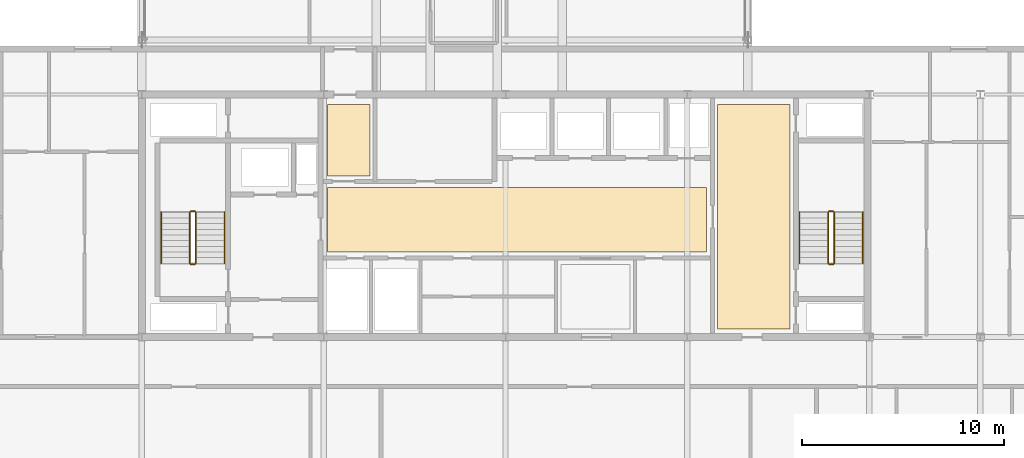
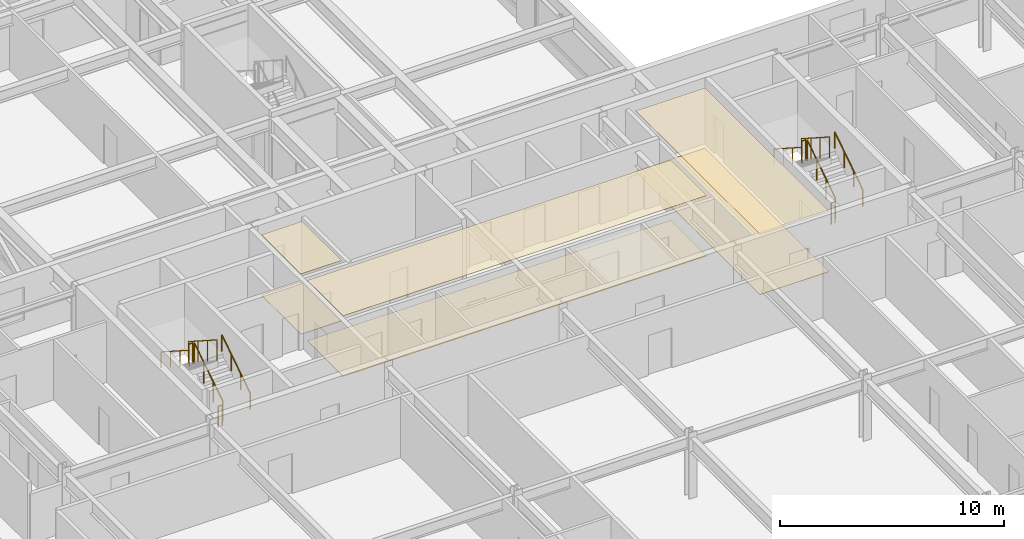
# One storey, part 31 of 35: 12 railings, 6 coverings.
"""IFC4 building model written with IfcOpenShell, lengths in metres."""

from ifc_helpers import new_model, si_unit, direction, frame, origin, origin_2d, place, context, subcontext, project, spatial, polyline, circle, outline, extrude, material, layer, layer_set, type_object, element, save


model = new_model("IFC4")

# Units and contexts
model_context = context("Model", 3, precision=1e-05, world=origin(), true_north=direction((0.0, 1.0)))
body_context = subcontext(model_context, "Body", "Model", "MODEL_VIEW")
ifc_project = project(units=[si_unit("LENGTHUNIT", "METRE"), si_unit("AREAUNIT", "SQUARE_METRE"), si_unit("VOLUMEUNIT", "CUBIC_METRE"), si_unit("PLANEANGLEUNIT", "RADIAN"), si_unit("MASSUNIT", "GRAM", prefix="KILO")], contexts=[model_context])

# Site, building, storey
site_placement = place(None, origin())
site = spatial("IfcSite", under=ifc_project, at=site_placement, CompositionType="ELEMENT")
building_placement = place(site_placement, origin())
building = spatial("IfcBuilding", under=site, at=building_placement, Name="Korimba Cascade Residences", CompositionType="ELEMENT")
storey_placement = place(building_placement, frame((0.0, 0.0, 150.10009765625)))
storey = spatial("IfcBuildingStorey", under=building, at=storey_placement, Name="L43", CompositionType="ELEMENT", Elevation=150.10009765625)

# Coverings
ifc_material_1 = material(Name="Perforated Acoustic Gypsum Ceiling", Category="gypsum")
ifc_layer_1 = layer(ifc_material_1, 0.02490234375)
ifc_layer_set_1 = layer_set([ifc_layer_1], Name="Perforated Acoustic Gypsum Ceiling")
covering_type_1 = type_object("IfcCoveringType", Name="COV-CLG-AC", PredefinedType="CEILING", material=ifc_layer_set_1)
covering_1_placement = place(storey_placement, frame((0.0, 0.0, 3.284912109375)))
element("IfcCovering", 1, at=covering_1_placement, inside=storey, type_object=covering_type_1, Name="L43 Suspended Acoustic Ceiling L43-BPS2", PredefinedType="CEILING", context=body_context, shape_type="SweptSolid", body=[
    extrude(outline(polyline([(91.300048828125, 26.3701171875), (93.39990234375, 26.3701171875), (93.39990234375, 29.89990234375), (91.300048828125, 29.89990234375), (91.300048828125, 26.3701171875)])), origin(), (0.0, 0.0, 1.0), 0.02490234375),
])
covering_2_placement = place(storey_placement, frame((0.0, 0.0, 3.284912109375)))
element("IfcCovering", 2, at=covering_2_placement, inside=storey, type_object=covering_type_1, Name="L43 Suspended Acoustic Ceiling L43-LL2", PredefinedType="CEILING", context=body_context, shape_type="SweptSolid", body=[
    extrude(outline(polyline([(91.300048828125, 22.60009765625), (110.050048828125, 22.60009765625), (110.050048828125, 25.800048828125), (91.300048828125, 25.800048828125), (91.300048828125, 22.60009765625)])), origin(), (0.0, 0.0, 1.0), 0.02490234375),
])
covering_3_placement = place(storey_placement, frame((0.0, 0.0, 3.284912109375)))
element("IfcCovering", 3, at=covering_3_placement, inside=storey, type_object=covering_type_1, Name="L43 Suspended Acoustic Ceiling L43-EV2", PredefinedType="CEILING", context=body_context, shape_type="SweptSolid", body=[
    extrude(outline(polyline([(110.60009765625, 18.800048828125), (114.169921875, 18.800048828125), (114.169921875, 29.89990234375), (110.60009765625, 29.89990234375), (110.60009765625, 18.800048828125)])), origin(), (0.0, 0.0, 1.0), 0.02490234375),
])
ifc_material_2 = material(Name="Honed Travertine Stone Flooring", Category="masonry")
ifc_layer_2 = layer(ifc_material_2, 0.02490234375)
ifc_layer_set_2 = layer_set([ifc_layer_2], Name="Honed Travertine Stone Flooring")
covering_type_2 = type_object("IfcCoveringType", Name="COV-FLR-STN", PredefinedType="FLOORING", material=ifc_layer_set_2)
covering_4_placement = place(storey_placement, origin())
element("IfcCovering", 4, at=covering_4_placement, inside=storey, type_object=covering_type_2, Name="L43 Honed Travertine Stone Flooring L43-BPS2", PredefinedType="FLOORING", context=body_context, shape_type="SweptSolid", body=[
    extrude(outline(polyline([(91.300048828125, 26.3701171875), (93.39990234375, 26.3701171875), (93.39990234375, 29.89990234375), (91.300048828125, 29.89990234375), (91.300048828125, 26.3701171875)])), origin(), (0.0, 0.0, 1.0), 0.02490234375),
])
covering_5_placement = place(storey_placement, origin())
element("IfcCovering", 5, at=covering_5_placement, inside=storey, type_object=covering_type_2, Name="L43 Honed Travertine Stone Flooring L43-LL2", PredefinedType="FLOORING", context=body_context, shape_type="SweptSolid", body=[
    extrude(outline(polyline([(91.300048828125, 22.60009765625), (110.050048828125, 22.60009765625), (110.050048828125, 25.800048828125), (91.300048828125, 25.800048828125), (91.300048828125, 22.60009765625)])), origin(), (0.0, 0.0, 1.0), 0.02490234375),
])
covering_6_placement = place(storey_placement, origin())
element("IfcCovering", 6, at=covering_6_placement, inside=storey, type_object=covering_type_2, Name="L43 Honed Travertine Stone Flooring L43-EV2", PredefinedType="FLOORING", context=body_context, shape_type="SweptSolid", body=[
    extrude(outline(polyline([(110.60009765625, 18.800048828125), (114.169921875, 18.800048828125), (114.169921875, 29.89990234375), (110.60009765625, 29.89990234375), (110.60009765625, 18.800048828125)])), origin(), (0.0, 0.0, 1.0), 0.02490234375),
])

# Railings
ifc_material_3 = material(Name="Painted Steel Stairwell Guardrail", Category="steel")
railing_type_1 = type_object("IfcRailingType", Name="RLG-ST-GD1150", PredefinedType="GUARDRAIL", material=ifc_material_3)
railing_1_placement = place(storey_placement, frame((84.77001953125, 22.050048828125, 0.179931640625)))
element("IfcRailing", 7, at=railing_1_placement, inside=storey, type_object=railing_type_1, Name="L43 ST-E1 stair guard 1", PredefinedType="GUARDRAIL", context=body_context, shape_type="SweptSolid", body=[
    extrude(circle(Radius=0.02392578125, at=origin_2d()), frame((0.0, 0.0, 1.1259765625), z_axis=(0.0, 0.841199657755, 0.540724639528), x_axis=(-1.0, 0.0, 0.0)), (0.0, 0.0, 1.0), 2.995849609375),
    extrude(circle(Radius=0.02099609375, at=origin_2d()), origin(), (0.0, 0.0, 1.0), 1.101806640625),
    extrude(circle(Radius=0.02099609375, at=origin_2d()), frame((0.0, 0.840087890625, 0.5400390625)), (0.0, 0.0, 1.0), 1.101806640625),
    extrude(circle(Radius=0.02099609375, at=origin_2d()), frame((0.0, 1.679931640625, 1.079833984375)), (0.0, 0.0, 1.0), 1.101806640625),
    extrude(circle(Radius=0.02099609375, at=origin_2d()), frame((0.0, 2.52001953125, 1.619873046875)), (0.0, 0.0, 1.0), 1.101806640625),
])
railing_2_placement = place(storey_placement, frame((84.719970703125, 24.6201171875, 1.7998046875)))
element("IfcRailing", 8, at=railing_2_placement, inside=storey, type_object=railing_type_1, Name="L43 ST-E1 stair guard 2", PredefinedType="GUARDRAIL", context=body_context, shape_type="SweptSolid", body=[
    extrude(circle(Radius=0.02392578125, at=origin_2d()), frame((0.0, 0.0, 1.1259765625), z_axis=(-1.0, 0.0, 0.0), x_axis=(0.0, -1.0, 0.0)), (0.0, 0.0, 1.0), 0.199951171875),
    extrude(circle(Radius=0.02099609375, at=origin_2d()), origin(), (0.0, 0.0, 1.0), 1.101806640625),
    extrude(circle(Radius=0.02099609375, at=origin_2d()), frame((-0.199951171875, 0.0, 0.0)), (0.0, 0.0, 1.0), 1.101806640625),
])
railing_3_placement = place(storey_placement, frame((84.469970703125, 24.570068359375, 1.97998046875)))
element("IfcRailing", 9, at=railing_3_placement, inside=storey, type_object=railing_type_1, Name="L43 ST-E1 stair guard 3", PredefinedType="GUARDRAIL", context=body_context, shape_type="SweptSolid", body=[
    extrude(circle(Radius=0.02392578125, at=origin_2d()), frame((0.0, 0.0, 1.1259765625), z_axis=(0.0, -0.841199657755, 0.540724639528), x_axis=(1.0, 0.0, 0.0)), (0.0, 0.0, 1.0), 2.995849609375),
    extrude(circle(Radius=0.02099609375, at=origin_2d()), origin(), (0.0, 0.0, 1.0), 1.101806640625),
    extrude(circle(Radius=0.02099609375, at=origin_2d()), frame((0.0, -0.840087890625, 0.5400390625)), (0.0, 0.0, 1.0), 1.101806640625),
    extrude(circle(Radius=0.02099609375, at=origin_2d()), frame((0.0, -1.679931640625, 1.079833984375)), (0.0, 0.0, 1.0), 1.101806640625),
    extrude(circle(Radius=0.02099609375, at=origin_2d()), frame((0.0, -2.52001953125, 1.619873046875)), (0.0, 0.0, 1.0), 1.101806640625),
])
railing_4_placement = place(storey_placement, frame((84.719970703125, 22.0, 0.0)))
element("IfcRailing", 10, at=railing_4_placement, inside=storey, type_object=railing_type_1, Name="L43 ST-E1 stair guard 4", PredefinedType="GUARDRAIL", context=body_context, shape_type="SweptSolid", body=[
    extrude(circle(Radius=0.02392578125, at=origin_2d()), frame((0.0, 0.0, 1.1259765625), z_axis=(-1.0, 0.0, 0.0), x_axis=(0.0, -1.0, 0.0)), (0.0, 0.0, 1.0), 0.199951171875),
    extrude(circle(Radius=0.02099609375, at=origin_2d()), origin(), (0.0, 0.0, 1.0), 1.101806640625),
    extrude(circle(Radius=0.02099609375, at=origin_2d()), frame((-0.199951171875, 0.0, 0.0)), (0.0, 0.0, 1.0), 1.101806640625),
])
railing_5_placement = place(storey_placement, frame((116.3701171875, 22.050048828125, 0.179931640625)))
element("IfcRailing", 11, at=railing_5_placement, inside=storey, type_object=railing_type_1, Name="L43 ST-E2 stair guard 1", PredefinedType="GUARDRAIL", context=body_context, shape_type="SweptSolid", body=[
    extrude(circle(Radius=0.02392578125, at=origin_2d()), frame((0.0, 0.0, 1.1259765625), z_axis=(0.0, 0.841199657755, 0.540724639528), x_axis=(-1.0, 0.0, 0.0)), (0.0, 0.0, 1.0), 2.995849609375),
    extrude(circle(Radius=0.02099609375, at=origin_2d()), origin(), (0.0, 0.0, 1.0), 1.101806640625),
    extrude(circle(Radius=0.02099609375, at=origin_2d()), frame((0.0, 0.840087890625, 0.5400390625)), (0.0, 0.0, 1.0), 1.101806640625),
    extrude(circle(Radius=0.02099609375, at=origin_2d()), frame((0.0, 1.679931640625, 1.079833984375)), (0.0, 0.0, 1.0), 1.101806640625),
    extrude(circle(Radius=0.02099609375, at=origin_2d()), frame((0.0, 2.52001953125, 1.619873046875)), (0.0, 0.0, 1.0), 1.101806640625),
])
railing_6_placement = place(storey_placement, frame((116.320068359375, 24.6201171875, 1.7998046875)))
element("IfcRailing", 12, at=railing_6_placement, inside=storey, type_object=railing_type_1, Name="L43 ST-E2 stair guard 2", PredefinedType="GUARDRAIL", context=body_context, shape_type="SweptSolid", body=[
    extrude(circle(Radius=0.02392578125, at=origin_2d()), frame((0.0, 0.0, 1.1259765625), z_axis=(-1.0, 0.0, 0.0), x_axis=(0.0, -1.0, 0.0)), (0.0, 0.0, 1.0), 0.199951171875),
    extrude(circle(Radius=0.02099609375, at=origin_2d()), origin(), (0.0, 0.0, 1.0), 1.101806640625),
    extrude(circle(Radius=0.02099609375, at=origin_2d()), frame((-0.199951171875, 0.0, 0.0)), (0.0, 0.0, 1.0), 1.101806640625),
])
railing_7_placement = place(storey_placement, frame((116.070068359375, 24.570068359375, 1.97998046875)))
element("IfcRailing", 13, at=railing_7_placement, inside=storey, type_object=railing_type_1, Name="L43 ST-E2 stair guard 3", PredefinedType="GUARDRAIL", context=body_context, shape_type="SweptSolid", body=[
    extrude(circle(Radius=0.02392578125, at=origin_2d()), frame((0.0, 0.0, 1.1259765625), z_axis=(0.0, -0.841199657755, 0.540724639528), x_axis=(1.0, 0.0, 0.0)), (0.0, 0.0, 1.0), 2.995849609375),
    extrude(circle(Radius=0.02099609375, at=origin_2d()), origin(), (0.0, 0.0, 1.0), 1.101806640625),
    extrude(circle(Radius=0.02099609375, at=origin_2d()), frame((0.0, -0.840087890625, 0.5400390625)), (0.0, 0.0, 1.0), 1.101806640625),
    extrude(circle(Radius=0.02099609375, at=origin_2d()), frame((0.0, -1.679931640625, 1.079833984375)), (0.0, 0.0, 1.0), 1.101806640625),
    extrude(circle(Radius=0.02099609375, at=origin_2d()), frame((0.0, -2.52001953125, 1.619873046875)), (0.0, 0.0, 1.0), 1.101806640625),
])
railing_8_placement = place(storey_placement, frame((116.320068359375, 22.0, 0.0)))
element("IfcRailing", 14, at=railing_8_placement, inside=storey, type_object=railing_type_1, Name="L43 ST-E2 stair guard 4", PredefinedType="GUARDRAIL", context=body_context, shape_type="SweptSolid", body=[
    extrude(circle(Radius=0.02392578125, at=origin_2d()), frame((0.0, 0.0, 1.1259765625), z_axis=(-1.0, 0.0, 0.0), x_axis=(0.0, -1.0, 0.0)), (0.0, 0.0, 1.0), 0.199951171875),
    extrude(circle(Radius=0.02099609375, at=origin_2d()), origin(), (0.0, 0.0, 1.0), 1.101806640625),
    extrude(circle(Radius=0.02099609375, at=origin_2d()), frame((-0.199951171875, 0.0, 0.0)), (0.0, 0.0, 1.0), 1.101806640625),
])
ifc_material_4 = material(Name="Brushed Stainless Steel Handrail", Category="steel")
railing_type_2 = type_object("IfcRailingType", Name="RLG-ST-HR900", PredefinedType="HANDRAIL", material=ifc_material_4)
railing_9_placement = place(storey_placement, frame((86.18994140625, 22.050048828125, 0.36376953125)))
element("IfcRailing", 15, at=railing_9_placement, inside=storey, type_object=railing_type_2, Name="L43 ST-E1 stair handrail 1", PredefinedType="HANDRAIL", context=body_context, shape_type="SweptSolid", body=[
    extrude(circle(Radius=0.02392578125, at=origin_2d()), frame((0.0, 0.0, 0.8759765625), z_axis=(0.0, 0.841199657755, 0.540724639528), x_axis=(-1.0, 0.0, 0.0)), (0.0, 0.0, 1.0), 2.995849609375),
    extrude(circle(Radius=0.02099609375, at=origin_2d()), origin(), (0.0, 0.0, 1.0), 0.851806640625),
    extrude(circle(Radius=0.02099609375, at=origin_2d()), frame((0.0, 0.840087890625, 0.5400390625)), (0.0, 0.0, 1.0), 0.851806640625),
    extrude(circle(Radius=0.02099609375, at=origin_2d()), frame((0.0, 1.679931640625, 1.079833984375)), (0.0, 0.0, 1.0), 0.851806640625),
    extrude(circle(Radius=0.02099609375, at=origin_2d()), frame((0.0, 2.52001953125, 1.619873046875)), (0.0, 0.0, 1.0), 0.851806640625),
])
railing_10_placement = place(storey_placement, frame((83.050048828125, 24.570068359375, 2.163818359375)))
element("IfcRailing", 16, at=railing_10_placement, inside=storey, type_object=railing_type_2, Name="L43 ST-E1 stair handrail 2", PredefinedType="HANDRAIL", context=body_context, shape_type="SweptSolid", body=[
    extrude(circle(Radius=0.02392578125, at=origin_2d()), frame((0.0, 0.0, 0.8759765625), z_axis=(0.0, -0.841199657755, 0.540724639528), x_axis=(1.0, 0.0, 0.0)), (0.0, 0.0, 1.0), 2.995849609375),
    extrude(circle(Radius=0.02099609375, at=origin_2d()), origin(), (0.0, 0.0, 1.0), 0.851806640625),
    extrude(circle(Radius=0.02099609375, at=origin_2d()), frame((0.0, -0.840087890625, 0.5400390625)), (0.0, 0.0, 1.0), 0.851806640625),
    extrude(circle(Radius=0.02099609375, at=origin_2d()), frame((0.0, -1.679931640625, 1.079833984375)), (0.0, 0.0, 1.0), 0.851806640625),
    extrude(circle(Radius=0.02099609375, at=origin_2d()), frame((0.0, -2.52001953125, 1.619873046875)), (0.0, 0.0, 1.0), 0.851806640625),
])
railing_11_placement = place(storey_placement, frame((117.7900390625, 22.050048828125, 0.36376953125)))
element("IfcRailing", 17, at=railing_11_placement, inside=storey, type_object=railing_type_2, Name="L43 ST-E2 stair handrail 1", PredefinedType="HANDRAIL", context=body_context, shape_type="SweptSolid", body=[
    extrude(circle(Radius=0.02392578125, at=origin_2d()), frame((0.0, 0.0, 0.8759765625), z_axis=(0.0, 0.841199657755, 0.540724639528), x_axis=(-1.0, 0.0, 0.0)), (0.0, 0.0, 1.0), 2.995849609375),
    extrude(circle(Radius=0.02099609375, at=origin_2d()), origin(), (0.0, 0.0, 1.0), 0.851806640625),
    extrude(circle(Radius=0.02099609375, at=origin_2d()), frame((0.0, 0.840087890625, 0.5400390625)), (0.0, 0.0, 1.0), 0.851806640625),
    extrude(circle(Radius=0.02099609375, at=origin_2d()), frame((0.0, 1.679931640625, 1.079833984375)), (0.0, 0.0, 1.0), 0.851806640625),
    extrude(circle(Radius=0.02099609375, at=origin_2d()), frame((0.0, 2.52001953125, 1.619873046875)), (0.0, 0.0, 1.0), 0.851806640625),
])
railing_12_placement = place(storey_placement, frame((114.64990234375, 24.570068359375, 2.163818359375)))
element("IfcRailing", 18, at=railing_12_placement, inside=storey, type_object=railing_type_2, Name="L43 ST-E2 stair handrail 2", PredefinedType="HANDRAIL", context=body_context, shape_type="SweptSolid", body=[
    extrude(circle(Radius=0.02392578125, at=origin_2d()), frame((0.0, 0.0, 0.8759765625), z_axis=(0.0, -0.841199657755, 0.540724639528), x_axis=(1.0, 0.0, 0.0)), (0.0, 0.0, 1.0), 2.995849609375),
    extrude(circle(Radius=0.02099609375, at=origin_2d()), origin(), (0.0, 0.0, 1.0), 0.851806640625),
    extrude(circle(Radius=0.02099609375, at=origin_2d()), frame((0.0, -0.840087890625, 0.5400390625)), (0.0, 0.0, 1.0), 0.851806640625),
    extrude(circle(Radius=0.02099609375, at=origin_2d()), frame((0.0, -1.679931640625, 1.079833984375)), (0.0, 0.0, 1.0), 0.851806640625),
    extrude(circle(Radius=0.02099609375, at=origin_2d()), frame((0.0, -2.52001953125, 1.619873046875)), (0.0, 0.0, 1.0), 0.851806640625),
])

save(model, "model.ifc")
